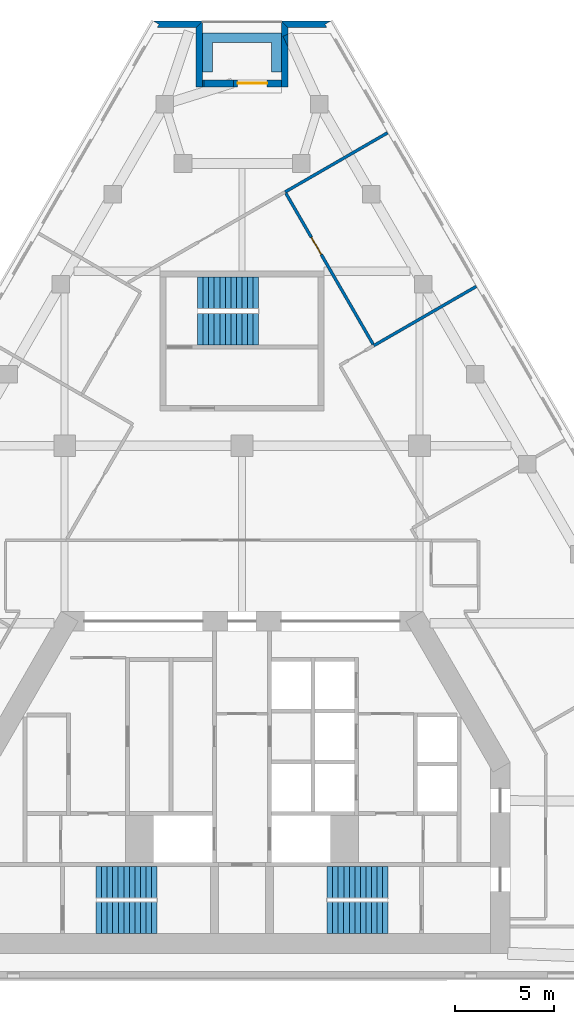
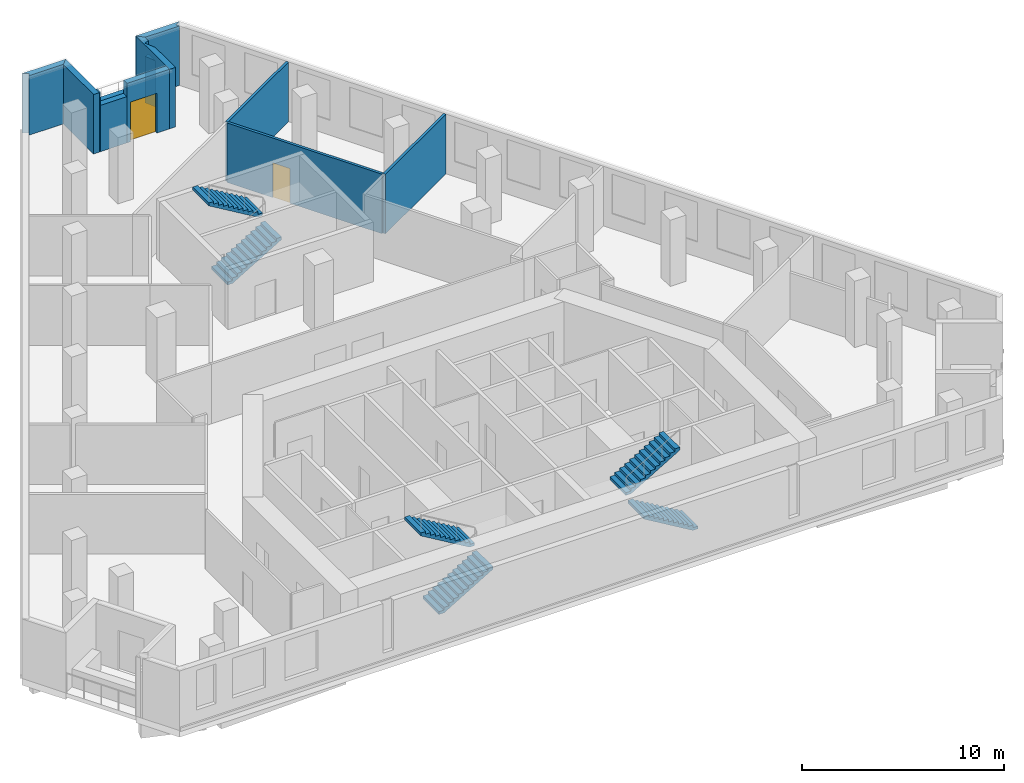
# One storey, part 8 of 9: 12 walls, 6 stair flights, 2 doors, 2 openings, 3 elements without a shape of their own.
"""IFC4 building model written with IfcOpenShell, lengths in metres."""

from ifc_helpers import new_model, si_unit, direction, frame, frame_2d, origin, place, context, subcontext, project, spatial, polyline, rectangle, outline, extrude, material, layer, layer_set, type_object, element, fill, aggregate, save


model = new_model("IFC4")

# Units and contexts
model_context = context("Model", 3, precision=1e-05, world=origin(), true_north=direction((0.0, 1.0)))
body_context = subcontext(model_context, "Body", "Model", "MODEL_VIEW")
ifc_project = project(units=[si_unit("LENGTHUNIT", "METRE"), si_unit("AREAUNIT", "SQUARE_METRE"), si_unit("VOLUMEUNIT", "CUBIC_METRE"), si_unit("PLANEANGLEUNIT", "RADIAN"), si_unit("MASSUNIT", "GRAM", prefix="KILO")], contexts=[model_context])

# Site, building, storey
site_placement = place(None, origin())
site = spatial("IfcSite", under=ifc_project, at=site_placement, CompositionType="ELEMENT")
building_placement = place(site_placement, origin())
building = spatial("IfcBuilding", under=site, at=building_placement, Name="Fogline Exchange Tower", CompositionType="ELEMENT")
storey_placement = place(building_placement, frame((0.0, 0.0, 190.10009765625)))
storey = spatial("IfcBuildingStorey", under=building, at=storey_placement, Name="L42", CompositionType="ELEMENT", Elevation=190.10009765625)

# Walls
ifc_material_1 = material(Name="Brick masonry", Category="masonry")
ifc_layer_1 = layer(ifc_material_1, 0.340087890625)
ifc_layer_set_1 = layer_set([ifc_layer_1], Name="FW1")
wall_type_1 = type_object("IfcWallType", Name="FW1", PredefinedType="SOLIDWALL", material=ifc_layer_set_1)
wall_1_placement = place(storey_placement, origin())
element("IfcWall", 1, at=wall_1_placement, inside=storey, type_object=wall_type_1, Name="Brick wall L42 N-c1", PredefinedType="SOLIDWALL", context=body_context, shape_type="SweptSolid", body=[
    extrude(outline(polyline([(1.9990234375, 48.55224609375), (4.5009765625, 48.55224609375), (4.501220703125, 48.5517578125), (4.206298828125, 48.38134765625), (4.3046875, 48.2109375), (2.33984375, 48.2109375), (1.998779296875, 48.552001953125), (1.9990234375, 48.55224609375)])), origin(), (0.0, 0.0, 1.0), 3.599853515625),
])
wall_2_placement = place(storey_placement, origin())
element("IfcWall", 2, at=wall_2_placement, inside=storey, type_object=wall_type_1, Name="Brick wall L42 N-s1", PredefinedType="SOLIDWALL", context=body_context, shape_type="SweptSolid", body=[
    extrude(outline(polyline([(2.340576171875, 47.19775390625), (2.0791015625, 47.7724609375), (2.340576171875, 47.8916015625), (2.340576171875, 47.19775390625)])), origin(), (0.0, 0.0, 1.0), 2.7998046875),
])
wall_3_placement = place(storey_placement, origin())
element("IfcWall", 3, at=wall_3_placement, inside=storey, type_object=wall_type_1, Name="Brick wall L42 N-s1", PredefinedType="SOLIDWALL", context=body_context, shape_type="SweptSolid", body=[
    extrude(outline(polyline([(1.99951171875, 45.2109375), (1.99951171875, 48.552734375), (1.999755859375, 48.552734375), (2.340576171875, 48.2119140625), (2.340576171875, 47.8916015625), (2.0791015625, 47.7724609375), (2.340576171875, 47.19775390625), (2.340576171875, 45.2109375), (1.99951171875, 45.2109375)])), origin(), (0.0, 0.0, 1.0), 3.599853515625),
])

# Wall, opening, door
wall_4_placement = place(storey_placement, frame((2.0, 45.381591796875, 0.0), z_axis=(0.0, 0.0, 1.0), x_axis=(-1.0, 0.0, 0.0)))
wall_4 = element("IfcWall", 4, at=wall_4_placement, inside=storey, type_object=wall_type_1, Name="Brick wall L42 N-bk", PredefinedType="SOLIDWALL", context=body_context, shape_type="SweptSolid", body=[
    extrude(rectangle(XDim=2.425048828125, YDim=0.340087890625, at=frame_2d((1.21240234375, 0.0))), origin(), (0.0, 0.0, 1.0), 3.599853515625),
])
opening_1_placement = place(wall_4_placement, frame((0.72509765625, 0.0, 0.0)))
opening_1 = element("IfcOpeningElement", 5, at=opening_1_placement, cuts=wall_4, Name="Opening T13-E141", PredefinedType="OPENING", context=body_context, shape_type="SweptSolid", body=[
    extrude(rectangle(XDim=1.5, YDim=2.39990234375, at=frame_2d((0.75, 1.199951171875))), frame((0.0, 0.18017578125, 0.0), z_axis=(0.0, -1.0, 0.0), x_axis=(1.0, 0.0, 0.0)), (0.0, 0.0, 1.0), 0.360107421875),
])
ifc_material_2 = material(Name="Aluminium and glass", Category="aluminium")
door_type_1 = type_object("IfcDoorType", Name="ED4", OperationType="SINGLE_SWING_LEFT", PredefinedType="DOOR", material=ifc_material_2)
door_1_placement = place(opening_1_placement, frame((1.5, 0.0, 0.0), z_axis=(0.0, 0.0, 1.0), x_axis=(-1.0, 0.0, 0.0)))
door_1 = element("IfcDoor", 6, at=door_1_placement, inside=storey, type_object=door_type_1, Name="Balcony door L42 N", OperationType="DOUBLE_DOOR_SINGLE_SWING", OverallHeight=2.39990234375, OverallWidth=1.5, PredefinedType="DOOR", context=body_context, shape_type="SweptSolid", body=[
    extrude(rectangle(XDim=1.5, YDim=2.39990234375, at=frame_2d((0.75, 1.199951171875))), frame((0.0, 0.02490234375, 0.0), z_axis=(0.0, -1.0, 0.0), x_axis=(1.0, 0.0, 0.0)), (0.0, 0.0, 1.0), 0.050048828125),
])
fill(opening_1, door_1)

# Walls
wall_5_placement = place(storey_placement, frame((-0.425048828125, 45.381591796875, 0.0), z_axis=(0.0, 0.0, 1.0), x_axis=(-1.0, 0.0, 0.0)))
element("IfcWall", 7, at=wall_5_placement, inside=storey, type_object=wall_type_1, Name="Brick wall L42 N-bk", PredefinedType="SOLIDWALL", context=body_context, shape_type="SweptSolid", body=[
    extrude(rectangle(XDim=1.50634765625, YDim=0.340087890625, at=frame_2d((0.753173828125, 0.0))), origin(), (0.0, 0.0, 1.0), 2.7998046875),
])
wall_6_placement = place(storey_placement, frame((-1.931396484375, 45.381591796875, 0.0), z_axis=(0.0, 0.0, 1.0), x_axis=(-1.0, 0.0, 0.0)))
element("IfcWall", 8, at=wall_6_placement, inside=storey, type_object=wall_type_1, Name="Brick wall L42 N-bk", PredefinedType="SOLIDWALL", context=body_context, shape_type="SweptSolid", body=[
    extrude(rectangle(XDim=0.068603515625, YDim=0.340087890625, at=frame_2d((0.0341796875, 0.0))), origin(), (0.0, 0.0, 1.0), 3.599853515625),
])
wall_7_placement = place(storey_placement, origin())
element("IfcWall", 9, at=wall_7_placement, inside=storey, type_object=wall_type_1, Name="Brick wall L42 N-s2", PredefinedType="SOLIDWALL", context=body_context, shape_type="SweptSolid", body=[
    extrude(outline(polyline([(-1.99951171875, 48.552734375), (-1.99951171875, 45.2109375), (-2.340576171875, 45.2109375), (-2.340576171875, 48.2119140625), (-1.999755859375, 48.552734375), (-1.99951171875, 48.552734375)])), origin(), (0.0, 0.0, 1.0), 3.599853515625),
])
wall_8_placement = place(storey_placement, origin())
element("IfcWall", 10, at=wall_8_placement, inside=storey, type_object=wall_type_1, Name="Brick wall L42 N-c2", PredefinedType="SOLIDWALL", context=body_context, shape_type="SweptSolid", body=[
    extrude(outline(polyline([(-4.3046875, 48.2109375), (-4.206298828125, 48.38134765625), (-4.501220703125, 48.5517578125), (-4.5009765625, 48.55224609375), (-1.9990234375, 48.55224609375), (-1.998779296875, 48.552001953125), (-2.33984375, 48.2109375), (-4.3046875, 48.2109375)])), origin(), (0.0, 0.0, 1.0), 3.599853515625),
])
ifc_material_3 = material(Name="Concrete C30", Category="concrete")
ifc_layer_2 = layer(ifc_material_3, 0.199951171875)
ifc_layer_set_2 = layer_set([ifc_layer_2], Name="PL1")
wall_type_2 = type_object("IfcWallType", Name="PL1", PredefinedType="USERDEFINED", material=ifc_layer_set_2)
wall_9_placement = place(storey_placement, origin())
element("IfcWall", 11, at=wall_9_placement, inside=storey, type_object=wall_type_2, Name="PLANTER balcony L42 N", ObjectType="PLANTER", PredefinedType="USERDEFINED", context=body_context, shape_type="SweptSolid", body=[
    extrude(outline(polyline([(-1.5, 47.95166015625), (-2.0, 47.95166015625), (-2.0, 47.45166015625), (-2.0, 45.95166015625), (-1.5, 45.95166015625), (-1.5, 47.45166015625), (1.5, 47.45166015625), (1.5, 45.95166015625), (2.0, 45.95166015625), (2.0, 47.45166015625), (2.0, 47.95166015625), (1.5, 47.95166015625), (-1.5, 47.95166015625)])), origin(), (0.0, 0.0, 1.0), 1.099853515625),
])
ifc_material_4 = material(Name="Plasterboard demising partition with mineral wool and acoustic board")
ifc_layer_3 = layer(ifc_material_4, 0.14990234375)
ifc_layer_set_3 = layer_set([ifc_layer_3], Name="PW3")
wall_type_3 = type_object("IfcWallType", Name="PW3", PredefinedType="PARTITIONING", material=ifc_layer_set_3)
wall_10_placement = place(storey_placement, frame((6.6865234375, 32.084228515625, 0.0), z_axis=(0.0, 0.0, 1.0), x_axis=(0.866031096941, 0.499990139034, 0.0)))
element("IfcWall", 12, at=wall_10_placement, inside=storey, type_object=wall_type_3, Name="wall-L42-W027", PredefinedType="PARTITIONING", context=body_context, shape_type="SweptSolid", body=[
    extrude(rectangle(XDim=6.0, YDim=0.14990234375, at=frame_2d((3.0, 0.0))), origin(), (0.0, 0.0, 1.0), 3.599853515625),
])

# Wall, opening, door
wall_11_placement = place(storey_placement, frame((6.649169921875, 32.1494140625, 0.0), z_axis=(0.0, 0.0, 1.0), x_axis=(-0.50001697323, 0.866015604063, 0.0)))
wall_11 = element("IfcWall", 13, at=wall_11_placement, inside=storey, type_object=wall_type_3, Name="wall-L42-W030", PredefinedType="PARTITIONING", context=body_context, shape_type="SweptSolid", body=[
    extrude(rectangle(XDim=8.849853515625, YDim=0.14990234375, at=frame_2d((4.4248046875, 0.0))), origin(), (0.0, 0.0, 1.0), 3.599853515625),
])
opening_2_placement = place(wall_11_placement, frame((5.26123046875, 0.0, 0.0)))
opening_2 = element("IfcOpeningElement", 14, at=opening_2_placement, cuts=wall_11, Name="Opening T13-D009", PredefinedType="OPENING", context=body_context, shape_type="SweptSolid", body=[
    extrude(rectangle(XDim=1.0, YDim=2.10009765625, at=frame_2d((0.5, 1.050048828125))), frame((0.0, 0.0849609375, 0.0), z_axis=(0.0, -1.0, 0.0), x_axis=(1.0, 0.0, 0.0)), (0.0, 0.0, 1.0), 0.169921875),
])
ifc_material_5 = material(Name="Fire-rated timber door leaf with steel frame", Category="steel")
door_type_2 = type_object("IfcDoorType", Name="D3", OperationType="SINGLE_SWING_LEFT", PredefinedType="DOOR", material=ifc_material_5)
door_2_placement = place(opening_2_placement, frame((1.0, 0.0, 0.0), z_axis=(0.0, 0.0, 1.0), x_axis=(-1.0, 0.0, 0.0)))
door_2 = element("IfcDoor", 15, at=door_2_placement, inside=storey, type_object=door_type_2, Name="door-L42-D009", OperationType="SINGLE_SWING_LEFT", OverallHeight=2.10009765625, OverallWidth=1.0, PredefinedType="DOOR", context=body_context, shape_type="SweptSolid", body=[
    extrude(rectangle(XDim=1.0, YDim=2.10009765625, at=frame_2d((0.5, 1.050048828125))), frame((0.0, 0.02490234375, 0.0), z_axis=(0.0, -1.0, 0.0), x_axis=(1.0, 0.0, 0.0)), (0.0, 0.0, 1.0), 0.050048828125),
])
fill(opening_2, door_2)

# Wall
wall_12_placement = place(storey_placement, frame((2.1865234375, 39.87841796875, 0.0), z_axis=(0.0, 0.0, 1.0), x_axis=(0.866031096941, 0.499990139034, 0.0)))
element("IfcWall", 16, at=wall_12_placement, inside=storey, type_object=wall_type_3, Name="wall-L42-W031", PredefinedType="PARTITIONING", context=body_context, shape_type="SweptSolid", body=[
    extrude(rectangle(XDim=6.0, YDim=0.14990234375, at=frame_2d((3.0, 0.0))), origin(), (0.0, 0.0, 1.0), 3.599853515625),
])

# Stair, stair flights
ifc_material_6 = material(Name="Concrete C40", Category="concrete")
stair_type = type_object("IfcStairType", Name="STR24-1667", PredefinedType="HALF_TURN_STAIR", material=ifc_material_6)
stair_1_placement = place(storey_placement, origin())
stair_1 = element("IfcStair", 17, at=stair_1_placement, inside=storey, type_object=stair_type, Name="Stair ST1", PredefinedType="HALF_TURN_STAIR")
stair_flight_type = type_object("IfcStairFlightType", Name="SF12-1667", PredefinedType="STRAIGHT", material=ifc_material_6)
stair_flight_1_placement = place(storey_placement, frame((-7.39990234375, 3.050048828125, 0.0), z_axis=(0.0, 0.0, 1.0), x_axis=(1.0, 0.0, 0.0)))
stair_flight_1 = element("IfcStairFlight", 18, at=stair_flight_1_placement, type_object=stair_flight_type, Name="ST1 flight 1", NumberOfRisers=12, NumberOfTreads=11, PredefinedType="STRAIGHT", RiserHeight=0.166666667, TreadLength=0.28, context=body_context, shape_type="SweptSolid", body=[
    extrude(outline(polyline([(0.0, 0.0), (0.0, 0.166748046875), (0.280029296875, 0.166748046875), (0.280029296875, 0.333251953125), (0.56005859375, 0.333251953125), (0.56005859375, 0.5), (0.840087890625, 0.5), (0.840087890625, 0.666748046875), (1.1201171875, 0.666748046875), (1.1201171875, 0.833251953125), (1.39990234375, 0.833251953125), (1.39990234375, 1.0), (1.679931640625, 1.0), (1.679931640625, 1.166748046875), (1.9599609375, 1.166748046875), (1.9599609375, 1.333251953125), (2.239990234375, 1.333251953125), (2.239990234375, 1.5), (2.52001953125, 1.5), (2.52001953125, 1.666748046875), (2.800048828125, 1.666748046875), (2.800048828125, 1.833251953125), (3.080078125, 1.833251953125), (3.080078125, 2.0), (3.080078125, 1.658935546875), (0.29296875, 0.0), (0.0, 0.0)])), frame((0.0, 0.800048828125, 0.0), z_axis=(0.0, -1.0, 0.0), x_axis=(1.0, 0.0, 0.0)), (0.0, 0.0, 1.0), 1.60009765625),
])
stair_flight_2_placement = place(storey_placement, frame((-4.320068359375, 4.85009765625, 2.0), z_axis=(0.0, 0.0, 1.0), x_axis=(-1.0, 0.0, 0.0)))
stair_flight_2 = element("IfcStairFlight", 19, at=stair_flight_2_placement, type_object=stair_flight_type, Name="ST1 flight 2", NumberOfRisers=12, NumberOfTreads=11, PredefinedType="STRAIGHT", RiserHeight=0.166666667, TreadLength=0.28, context=body_context, shape_type="SweptSolid", body=[
    extrude(outline(polyline([(0.0, 0.0), (0.0, 0.166748046875), (0.280029296875, 0.166748046875), (0.280029296875, 0.333251953125), (0.56005859375, 0.333251953125), (0.56005859375, 0.5), (0.840087890625, 0.5), (0.840087890625, 0.666748046875), (1.1201171875, 0.666748046875), (1.1201171875, 0.833251953125), (1.39990234375, 0.833251953125), (1.39990234375, 1.0), (1.679931640625, 1.0), (1.679931640625, 1.166748046875), (1.9599609375, 1.166748046875), (1.9599609375, 1.333251953125), (2.239990234375, 1.333251953125), (2.239990234375, 1.5), (2.52001953125, 1.5), (2.52001953125, 1.666748046875), (2.800048828125, 1.666748046875), (2.800048828125, 1.833251953125), (3.080078125, 1.833251953125), (3.080078125, 2.0), (3.080078125, 1.658935546875), (0.29296875, 0.0), (0.0, 0.0)])), frame((0.0, 0.800048828125, 0.0), z_axis=(0.0, -1.0, 0.0), x_axis=(1.0, 0.0, 0.0)), (0.0, 0.0, 1.0), 1.60009765625),
])
aggregate(stair_1, [stair_flight_1, stair_flight_2])

stair_2_placement = place(storey_placement, origin())
stair_2 = element("IfcStair", 20, at=stair_2_placement, inside=storey, type_object=stair_type, Name="Stair ST2", PredefinedType="HALF_TURN_STAIR")
stair_flight_3_placement = place(storey_placement, frame((7.39990234375, 3.050048828125, 0.0), z_axis=(0.0, 0.0, 1.0), x_axis=(-1.0, 0.0, 0.0)))
stair_flight_3 = element("IfcStairFlight", 21, at=stair_flight_3_placement, type_object=stair_flight_type, Name="ST2 flight 1", NumberOfRisers=12, NumberOfTreads=11, PredefinedType="STRAIGHT", RiserHeight=0.166666667, TreadLength=0.28, context=body_context, shape_type="SweptSolid", body=[
    extrude(outline(polyline([(0.0, 0.0), (0.0, 0.166748046875), (0.280029296875, 0.166748046875), (0.280029296875, 0.333251953125), (0.56005859375, 0.333251953125), (0.56005859375, 0.5), (0.840087890625, 0.5), (0.840087890625, 0.666748046875), (1.1201171875, 0.666748046875), (1.1201171875, 0.833251953125), (1.39990234375, 0.833251953125), (1.39990234375, 1.0), (1.679931640625, 1.0), (1.679931640625, 1.166748046875), (1.9599609375, 1.166748046875), (1.9599609375, 1.333251953125), (2.239990234375, 1.333251953125), (2.239990234375, 1.5), (2.52001953125, 1.5), (2.52001953125, 1.666748046875), (2.800048828125, 1.666748046875), (2.800048828125, 1.833251953125), (3.080078125, 1.833251953125), (3.080078125, 2.0), (3.080078125, 1.658935546875), (0.29296875, 0.0), (0.0, 0.0)])), frame((0.0, 0.800048828125, 0.0), z_axis=(0.0, -1.0, 0.0), x_axis=(1.0, 0.0, 0.0)), (0.0, 0.0, 1.0), 1.60009765625),
])
stair_flight_4_placement = place(storey_placement, frame((4.320068359375, 4.85009765625, 2.0), z_axis=(0.0, 0.0, 1.0), x_axis=(1.0, 0.0, 0.0)))
stair_flight_4 = element("IfcStairFlight", 22, at=stair_flight_4_placement, type_object=stair_flight_type, Name="ST2 flight 2", NumberOfRisers=12, NumberOfTreads=11, PredefinedType="STRAIGHT", RiserHeight=0.166666667, TreadLength=0.28, context=body_context, shape_type="SweptSolid", body=[
    extrude(outline(polyline([(0.0, 0.0), (0.0, 0.166748046875), (0.280029296875, 0.166748046875), (0.280029296875, 0.333251953125), (0.56005859375, 0.333251953125), (0.56005859375, 0.5), (0.840087890625, 0.5), (0.840087890625, 0.666748046875), (1.1201171875, 0.666748046875), (1.1201171875, 0.833251953125), (1.39990234375, 0.833251953125), (1.39990234375, 1.0), (1.679931640625, 1.0), (1.679931640625, 1.166748046875), (1.9599609375, 1.166748046875), (1.9599609375, 1.333251953125), (2.239990234375, 1.333251953125), (2.239990234375, 1.5), (2.52001953125, 1.5), (2.52001953125, 1.666748046875), (2.800048828125, 1.666748046875), (2.800048828125, 1.833251953125), (3.080078125, 1.833251953125), (3.080078125, 2.0), (3.080078125, 1.658935546875), (0.29296875, 0.0), (0.0, 0.0)])), frame((0.0, 0.800048828125, 0.0), z_axis=(0.0, -1.0, 0.0), x_axis=(1.0, 0.0, 0.0)), (0.0, 0.0, 1.0), 1.60009765625),
])
aggregate(stair_2, [stair_flight_3, stair_flight_4])

stair_3_placement = place(storey_placement, origin())
stair_3 = element("IfcStair", 23, at=stair_3_placement, inside=storey, type_object=stair_type, Name="Stair ST3", PredefinedType="HALF_TURN_STAIR")
stair_flight_5_placement = place(storey_placement, frame((-2.25, 32.906982421875, 0.0), z_axis=(0.0, 0.0, 1.0), x_axis=(1.0, 0.0, 0.0)))
stair_flight_5 = element("IfcStairFlight", 24, at=stair_flight_5_placement, type_object=stair_flight_type, Name="ST3 flight 1", NumberOfRisers=12, NumberOfTreads=11, PredefinedType="STRAIGHT", RiserHeight=0.166666667, TreadLength=0.28, context=body_context, shape_type="SweptSolid", body=[
    extrude(outline(polyline([(0.0, 0.0), (0.0, 0.166748046875), (0.280029296875, 0.166748046875), (0.280029296875, 0.333251953125), (0.56005859375, 0.333251953125), (0.56005859375, 0.5), (0.840087890625, 0.5), (0.840087890625, 0.666748046875), (1.1201171875, 0.666748046875), (1.1201171875, 0.833251953125), (1.39990234375, 0.833251953125), (1.39990234375, 1.0), (1.679931640625, 1.0), (1.679931640625, 1.166748046875), (1.9599609375, 1.166748046875), (1.9599609375, 1.333251953125), (2.239990234375, 1.333251953125), (2.239990234375, 1.5), (2.52001953125, 1.5), (2.52001953125, 1.666748046875), (2.800048828125, 1.666748046875), (2.800048828125, 1.833251953125), (3.080078125, 1.833251953125), (3.080078125, 2.0), (3.080078125, 1.658935546875), (0.29296875, 0.0), (0.0, 0.0)])), frame((0.0, 0.800048828125, 0.0), z_axis=(0.0, -1.0, 0.0), x_axis=(1.0, 0.0, 0.0)), (0.0, 0.0, 1.0), 1.60009765625),
])
stair_flight_6_placement = place(storey_placement, frame((0.830078125, 34.757080078125, 2.0), z_axis=(0.0, 0.0, 1.0), x_axis=(-1.0, 0.0, 0.0)))
stair_flight_6 = element("IfcStairFlight", 25, at=stair_flight_6_placement, type_object=stair_flight_type, Name="ST3 flight 2", NumberOfRisers=12, NumberOfTreads=11, PredefinedType="STRAIGHT", RiserHeight=0.166666667, TreadLength=0.28, context=body_context, shape_type="SweptSolid", body=[
    extrude(outline(polyline([(0.0, 0.0), (0.0, 0.166748046875), (0.280029296875, 0.166748046875), (0.280029296875, 0.333251953125), (0.56005859375, 0.333251953125), (0.56005859375, 0.5), (0.840087890625, 0.5), (0.840087890625, 0.666748046875), (1.1201171875, 0.666748046875), (1.1201171875, 0.833251953125), (1.39990234375, 0.833251953125), (1.39990234375, 1.0), (1.679931640625, 1.0), (1.679931640625, 1.166748046875), (1.9599609375, 1.166748046875), (1.9599609375, 1.333251953125), (2.239990234375, 1.333251953125), (2.239990234375, 1.5), (2.52001953125, 1.5), (2.52001953125, 1.666748046875), (2.800048828125, 1.666748046875), (2.800048828125, 1.833251953125), (3.080078125, 1.833251953125), (3.080078125, 2.0), (3.080078125, 1.658935546875), (0.29296875, 0.0), (0.0, 0.0)])), frame((0.0, 0.800048828125, 0.0), z_axis=(0.0, -1.0, 0.0), x_axis=(1.0, 0.0, 0.0)), (0.0, 0.0, 1.0), 1.60009765625),
])
aggregate(stair_3, [stair_flight_5, stair_flight_6])

save(model, "model.ifc")
